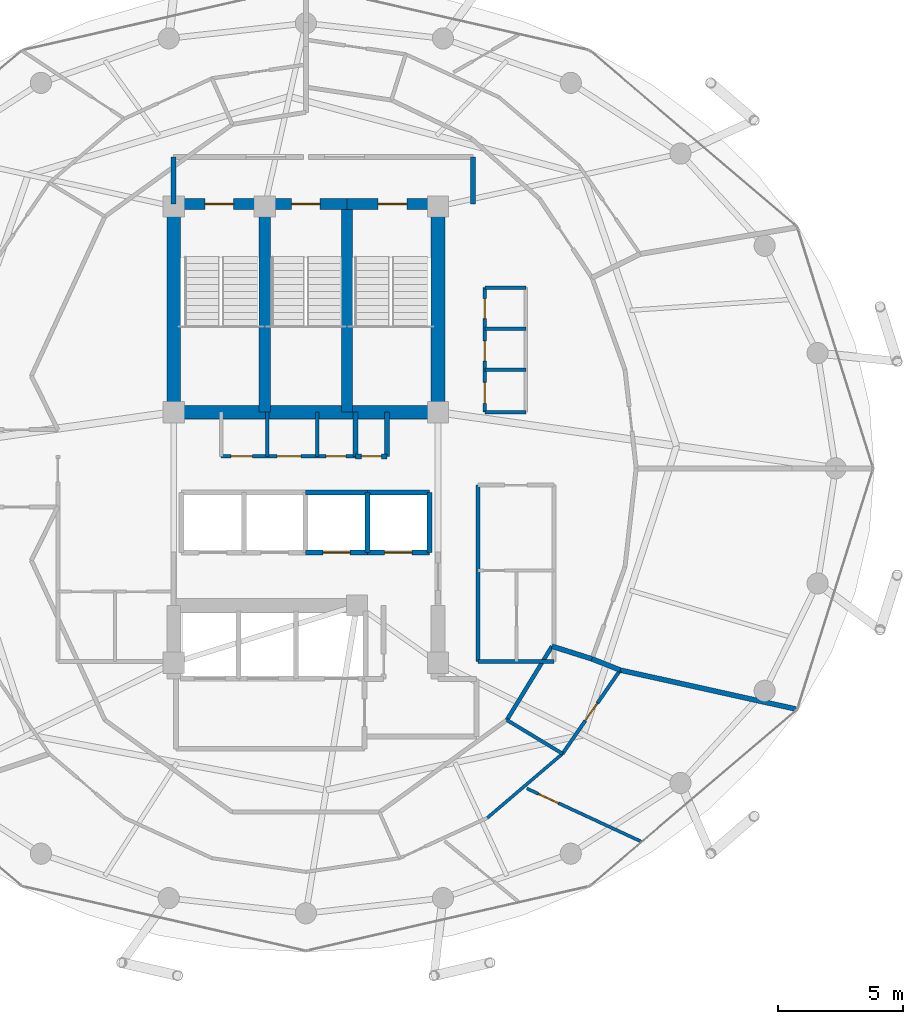
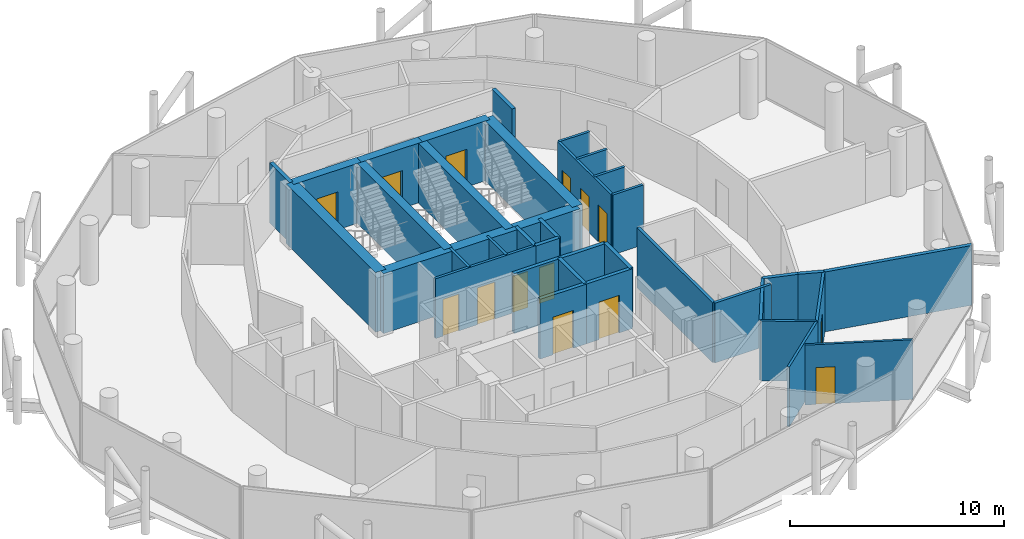
# One storey, part 24 of 27: 37 walls, 14 doors, 14 openings.
"""IFC4 building model written with IfcOpenShell, lengths in metres."""

from ifc_helpers import new_model, si_unit, direction, frame, frame_2d, origin, place, context, subcontext, project, spatial, rectangle, extrude, material, layer, layer_set, type_object, element, fill, save


model = new_model("IFC4")

# Units and contexts
model_context = context("Model", 3, precision=1e-05, world=origin(), true_north=direction((0.0, 1.0)))
body_context = subcontext(model_context, "Body", "Model", "MODEL_VIEW")
ifc_project = project(units=[si_unit("LENGTHUNIT", "METRE"), si_unit("AREAUNIT", "SQUARE_METRE"), si_unit("VOLUMEUNIT", "CUBIC_METRE"), si_unit("PLANEANGLEUNIT", "RADIAN"), si_unit("MASSUNIT", "GRAM", prefix="KILO")], contexts=[model_context])

# Site, building, storey
site_placement = place(None, origin())
site = spatial("IfcSite", under=ifc_project, at=site_placement, CompositionType="ELEMENT")
building_placement = place(site_placement, origin())
building = spatial("IfcBuilding", under=site, at=building_placement, Name="Nuhasar Tower", CompositionType="ELEMENT")
storey_placement = place(building_placement, frame((0.0, 0.0, 230.050048828125)))
storey = spatial("IfcBuildingStorey", under=building, at=storey_placement, Name="L56", CompositionType="ELEMENT", Elevation=230.050048828125)

# Wall, opening, door
ifc_material_1 = material(Name="Concrete C50/60", Category="concrete")
ifc_layer_1 = layer(ifc_material_1, 0.449951171875)
ifc_layer_set_1 = layer_set([ifc_layer_1], Name="Concrete C50/60")
wall_type_1 = type_object("IfcWallType", Name="WL-CORE-450", PredefinedType="SHEAR", material=ifc_layer_set_1)
wall_1_placement = place(storey_placement, frame((37.35009765625, 37.39990234375, 0.0), z_axis=(0.0, 0.0, 1.0), x_axis=(-1.0, 0.0, 0.0)))
wall_1 = element("IfcWall", 1, at=wall_1_placement, inside=storey, type_object=wall_type_1, Name="L56 Stairwell Shear Wall ST01-N", PredefinedType="SHEAR", context=body_context, shape_type="SweptSolid", body=[
    extrude(rectangle(XDim=3.650146484375, YDim=0.449951171875, at=frame_2d((1.8251953125, 0.0))), origin(), (0.0, 0.0, 1.0), 3.409912109375),
])
opening_1_placement = place(wall_1_placement, frame((1.25, 0.0, 0.0)))
opening_1 = element("IfcOpeningElement", 2, at=opening_1_placement, cuts=wall_1, Name="Opening DS-01", PredefinedType="OPENING", context=body_context, shape_type="SweptSolid", body=[
    extrude(rectangle(XDim=1.14990234375, YDim=2.14990234375, at=frame_2d((0.574951171875, 1.074951171875))), frame((0.0, 0.23486328125, 0.0), z_axis=(0.0, -1.0, 0.0), x_axis=(1.0, 0.0, 0.0)), (0.0, 0.0, 1.0), 0.469970703125),
])
ifc_material_2 = material(Name="Steel S355", Category="steel")
door_type_1 = type_object("IfcDoorType", Name="DR-STAIR-FD120-1150", OperationType="NOTDEFINED", PredefinedType="DOOR", material=ifc_material_2)
door_1_placement = place(opening_1_placement, origin())
door_1 = element("IfcDoor", 3, at=door_1_placement, inside=storey, type_object=door_type_1, Name="L56 Exit Stair ST-01 Door", OperationType="SINGLE_SWING_RIGHT", OverallHeight=2.14990234375, OverallWidth=1.14990234375, PredefinedType="DOOR", context=body_context, shape_type="SweptSolid", body=[
    extrude(rectangle(XDim=1.14990234375, YDim=2.14990234375, at=frame_2d((0.574951171875, 1.074951171875))), frame((0.0, 0.02490234375, 0.0), z_axis=(0.0, -1.0, 0.0), x_axis=(1.0, 0.0, 0.0)), (0.0, 0.0, 1.0), 0.050048828125),
])
fill(opening_1, door_1)

# Wall
wall_2_placement = place(storey_placement, frame((37.35009765625, 29.050048828125, 0.0), z_axis=(0.0, 0.0, 1.0), x_axis=(0.0, 1.0, 0.0)))
element("IfcWall", 4, at=wall_2_placement, inside=storey, type_object=wall_type_1, Name="L56 Stairwell Shear Wall ST01-E", PredefinedType="SHEAR", context=body_context, shape_type="SweptSolid", body=[
    extrude(rectangle(XDim=8.349853515625, YDim=0.449951171875, at=frame_2d((4.1748046875, 0.0))), origin(), (0.0, 0.0, 1.0), 3.409912109375),
])

# Wall, opening, door
wall_3_placement = place(storey_placement, frame((40.64990234375, 37.39990234375, 0.0), z_axis=(0.0, 0.0, 1.0), x_axis=(-1.0, 0.0, 0.0)))
wall_3 = element("IfcWall", 5, at=wall_3_placement, inside=storey, type_object=wall_type_1, Name="L56 Stairwell Shear Wall ST03-N", PredefinedType="SHEAR", context=body_context, shape_type="SweptSolid", body=[
    extrude(rectangle(XDim=3.2998046875, YDim=0.449951171875, at=frame_2d((1.64990234375, 0.0))), origin(), (0.0, 0.0, 1.0), 3.409912109375),
])
opening_2_placement = place(wall_3_placement, frame((1.074951171875, 0.0, 0.0)))
opening_2 = element("IfcOpeningElement", 6, at=opening_2_placement, cuts=wall_3, Name="Opening DS-01", PredefinedType="OPENING", context=body_context, shape_type="SweptSolid", body=[
    extrude(rectangle(XDim=1.14990234375, YDim=2.14990234375, at=frame_2d((0.574951171875, 1.074951171875))), frame((0.0, 0.23486328125, 0.0), z_axis=(0.0, -1.0, 0.0), x_axis=(1.0, 0.0, 0.0)), (0.0, 0.0, 1.0), 0.469970703125),
])
door_2_placement = place(opening_2_placement, origin())
door_2 = element("IfcDoor", 7, at=door_2_placement, inside=storey, type_object=door_type_1, Name="L56 Exit Stair ST-03 Door", OperationType="SINGLE_SWING_RIGHT", OverallHeight=2.14990234375, OverallWidth=1.14990234375, PredefinedType="DOOR", context=body_context, shape_type="SweptSolid", body=[
    extrude(rectangle(XDim=1.14990234375, YDim=2.14990234375, at=frame_2d((0.574951171875, 1.074951171875))), frame((0.0, 0.02490234375, 0.0), z_axis=(0.0, -1.0, 0.0), x_axis=(1.0, 0.0, 0.0)), (0.0, 0.0, 1.0), 0.050048828125),
])
fill(opening_2, door_2)

# Wall
wall_4_placement = place(storey_placement, frame((40.64990234375, 29.050048828125, 0.0), z_axis=(0.0, 0.0, 1.0), x_axis=(0.0, 1.0, 0.0)))
element("IfcWall", 8, at=wall_4_placement, inside=storey, type_object=wall_type_1, Name="L56 Stairwell Shear Wall ST03-E", PredefinedType="SHEAR", context=body_context, shape_type="SweptSolid", body=[
    extrude(rectangle(XDim=8.349853515625, YDim=0.449951171875, at=frame_2d((4.1748046875, 0.0))), origin(), (0.0, 0.0, 1.0), 3.409912109375),
])

# Wall, opening, door
wall_5_placement = place(storey_placement, frame((44.300048828125, 37.39990234375, 0.0), z_axis=(0.0, 0.0, 1.0), x_axis=(-1.0, 0.0, 0.0)))
wall_5 = element("IfcWall", 9, at=wall_5_placement, inside=storey, type_object=wall_type_1, Name="L56 Stairwell Shear Wall ST02-N", PredefinedType="SHEAR", context=body_context, shape_type="SweptSolid", body=[
    extrude(rectangle(XDim=3.650146484375, YDim=0.449951171875, at=frame_2d((1.8251953125, 0.0))), origin(), (0.0, 0.0, 1.0), 3.409912109375),
])
opening_3_placement = place(wall_5_placement, frame((1.25, 0.0, 0.0)))
opening_3 = element("IfcOpeningElement", 10, at=opening_3_placement, cuts=wall_5, Name="Opening DS-01", PredefinedType="OPENING", context=body_context, shape_type="SweptSolid", body=[
    extrude(rectangle(XDim=1.14990234375, YDim=2.14990234375, at=frame_2d((0.574951171875, 1.074951171875))), frame((0.0, 0.23486328125, 0.0), z_axis=(0.0, -1.0, 0.0), x_axis=(1.0, 0.0, 0.0)), (0.0, 0.0, 1.0), 0.469970703125),
])
door_3_placement = place(opening_3_placement, origin())
door_3 = element("IfcDoor", 11, at=door_3_placement, inside=storey, type_object=door_type_1, Name="L56 Exit Stair ST-02 Door", OperationType="SINGLE_SWING_LEFT", OverallHeight=2.14990234375, OverallWidth=1.14990234375, PredefinedType="DOOR", context=body_context, shape_type="SweptSolid", body=[
    extrude(rectangle(XDim=1.14990234375, YDim=2.14990234375, at=frame_2d((0.574951171875, 1.074951171875))), frame((0.0, 0.02490234375, 0.0), z_axis=(0.0, -1.0, 0.0), x_axis=(1.0, 0.0, 0.0)), (0.0, 0.0, 1.0), 0.050048828125),
])
fill(opening_3, door_3)

# Walls
ifc_material_3 = material(Name="Concrete C55/67", Category="concrete")
ifc_layer_2 = layer(ifc_material_3, 0.550048828125)
ifc_layer_set_2 = layer_set([ifc_layer_2], Name="Concrete C55/67")
wall_type_2 = type_object("IfcWallType", Name="WL-CORE-550", PredefinedType="SHEAR", material=ifc_layer_set_2)
for number, where, z_axis, x_axis, name in (
    (12, (33.699951171875, 29.050048828125, 0.0), (0.0, 0.0, 1.0), (0.0, 1.0, 0.0), "L56 Core Shear Wall CW-NW CW-550"),
    (13, (44.300048828125, 29.050048828125, 0.0), (0.0, 0.0, 1.0), (0.0, 1.0, 0.0), "L56 Core Shear Wall CW-NE CW-550"),
):
    element("IfcWall", number, at=place(storey_placement, frame(where, z_axis=z_axis, x_axis=x_axis)), inside=storey, type_object=wall_type_2, Name=name, PredefinedType="SHEAR", context=body_context, shape_type="SweptSolid", body=[
        extrude(rectangle(XDim=8.349853515625, YDim=0.550048828125, at=frame_2d((4.1748046875, 0.0))), origin(), (0.0, 0.0, 1.0), 3.409912109375),
    ])
wall_6_placement = place(storey_placement, frame((33.699951171875, 29.050048828125, 0.0), z_axis=(0.0, 0.0, 1.0), x_axis=(1.0, 0.0, 0.0)))
element("IfcWall", 14, at=wall_6_placement, inside=storey, type_object=wall_type_2, Name="L56 Core Shear Wall CW-N1 CW-550", PredefinedType="SHEAR", context=body_context, shape_type="SweptSolid", body=[
    extrude(rectangle(XDim=10.60009765625, YDim=0.550048828125, at=frame_2d((5.300048828125, 0.0))), origin(), (0.0, 0.0, 1.0), 3.409912109375),
])
ifc_material_4 = material(Name="Gypsum Board", Category="gypsum")
ifc_layer_3 = layer(ifc_material_4, 0.159912109375)
ifc_layer_set_3 = layer_set([ifc_layer_3], Name="Gypsum Board")
wall_type_3 = type_object("IfcWallType", Name="WL-CORR-160", PredefinedType="PARTITIONING", material=ifc_layer_set_3)
wall_7_placement = place(storey_placement, frame((45.89990234375, 19.050048828125, 0.0), z_axis=(0.0, 0.0, 1.0), x_axis=(1.0, 0.0, 0.0)))
element("IfcWall", 15, at=wall_7_placement, inside=storey, type_object=wall_type_3, Name="L56 Interior Partition RECL-B2-S", PredefinedType="PARTITIONING", context=body_context, shape_type="SweptSolid", body=[
    extrude(rectangle(XDim=3.050048828125, YDim=0.159912109375, at=frame_2d((1.52490234375, 0.0))), origin(), (0.0, 0.0, 1.0), 3.409912109375),
])
wall_8_placement = place(storey_placement, frame((45.89990234375, 19.050048828125, 0.0), z_axis=(0.0, 0.0, 1.0), x_axis=(0.0, 1.0, 0.0)))
element("IfcWall", 16, at=wall_8_placement, inside=storey, type_object=wall_type_3, Name="L56 Interior Partition RECL-B2-W", PredefinedType="PARTITIONING", context=body_context, shape_type="SweptSolid", body=[
    extrude(rectangle(XDim=7.070068359375, YDim=0.159912109375, at=frame_2d((3.53515625, 0.0))), origin(), (0.0, 0.0, 1.0), 3.409912109375),
])
wall_9_placement = place(storey_placement, frame((47.06103515625, 16.702880859375, 0.0), z_axis=(0.0, 0.0, 1.0), x_axis=(0.522486120877, 0.852647789823, 0.0)))
element("IfcWall", 17, at=wall_9_placement, inside=storey, type_object=wall_type_3, Name="L56 Interior Partition UWEST-CORE-S2-42", PredefinedType="PARTITIONING", context=body_context, shape_type="SweptSolid", body=[
    extrude(rectangle(XDim=3.468017578125, YDim=0.159912109375, at=frame_2d((1.73388671875, 0.0))), origin(), (0.0, 0.0, 1.0), 3.409912109375),
])
ifc_material_5 = material(Name="Concrete C45/55", Category="concrete")
ifc_layer_4 = layer(ifc_material_5, 0.199951171875)
ifc_layer_set_4 = layer_set([ifc_layer_4], Name="Concrete C45/55")
wall_type_4 = type_object("IfcWallType", Name="WL-LOBBY-200", PredefinedType="SOLIDWALL", material=ifc_layer_set_4)
for number, where, z_axis, x_axis, name in (
    (18, (33.699951171875, 37.39990234375, 0.0), (0.0, 0.0, 1.0), (0.0, 1.0, 0.0), "L56 Interior Partition NSL-W"),
    (19, (45.699951171875, 37.39990234375, 0.0), (0.0, 0.0, 1.0), (0.0, 1.0, 0.0), "L56 Interior Partition NSL-E"),
):
    element("IfcWall", number, at=place(storey_placement, frame(where, z_axis=z_axis, x_axis=x_axis)), inside=storey, type_object=wall_type_4, Name=name, PredefinedType="SOLIDWALL", context=body_context, shape_type="SweptSolid", body=[
        extrude(rectangle(XDim=1.880126953125, YDim=0.199951171875, at=frame_2d((0.93994140625, 0.0))), origin(), (0.0, 0.0, 1.0), 3.409912109375),
    ])
ifc_layer_5 = layer(ifc_material_4, 0.125)
ifc_layer_set_5 = layer_set([ifc_layer_5], Name="Gypsum Board")
wall_type_5 = type_object("IfcWallType", Name="WL-PART-125", PredefinedType="PARTITIONING", material=ifc_layer_set_5)
wall_10_placement = place(storey_placement, frame((46.280029296875, 12.779052734375, 0.0), z_axis=(0.0, 0.0, 1.0), x_axis=(0.760650552049, 0.64916156515, 0.0)))
element("IfcWall", 20, at=wall_10_placement, inside=storey, type_object=wall_type_5, Name="L56 Interior Partition USM-2-K-40", PredefinedType="PARTITIONING", context=body_context, shape_type="SweptSolid", body=[
    extrude(rectangle(XDim=3.963623046875, YDim=0.125, at=frame_2d((1.98193359375, 0.0))), origin(), (0.0, 0.0, 1.0), 3.409912109375),
])

# Wall, opening, door
wall_11_placement = place(storey_placement, frame((47.864013671875, 13.9560546875, 0.0), z_axis=(0.0, 0.0, 1.0), x_axis=(0.907116504573, -0.420879611209, 0.0)))
wall_11 = element("IfcWall", 21, at=wall_11_placement, inside=storey, type_object=wall_type_5, Name="L56 Interior Partition USO-2-B2", PredefinedType="PARTITIONING", context=body_context, shape_type="SweptSolid", body=[
    extrude(rectangle(XDim=5.046630859375, YDim=0.125, at=frame_2d((2.5234375, 0.0))), origin(), (0.0, 0.0, 1.0), 3.409912109375),
])
opening_4_placement = place(wall_11_placement, frame((0.50390625, 0.0, 0.0)))
opening_4 = element("IfcOpeningElement", 22, at=opening_4_placement, cuts=wall_11, Name="Opening DR-01", PredefinedType="OPENING", context=body_context, shape_type="SweptSolid", body=[
    extrude(rectangle(XDim=0.89990234375, YDim=2.10009765625, at=frame_2d((0.449951171875, 1.050048828125))), frame((0.0, 0.072509765625, 0.0), z_axis=(0.0, -1.0, 0.0), x_axis=(1.0, 0.0, 0.0)), (0.0, 0.0, 1.0), 0.14501953125),
])
ifc_material_6 = material(Name="Timber Oak", Category="wood")
door_type_2 = type_object("IfcDoorType", Name="DR-ROOM-900", OperationType="NOTDEFINED", PredefinedType="DOOR", material=ifc_material_6)
door_4_placement = place(opening_4_placement, origin())
door_4 = element("IfcDoor", 23, at=door_4_placement, inside=storey, type_object=door_type_2, Name="L56 South-West Sky Home Master Bedroom Door", OperationType="SINGLE_SWING_LEFT", OverallHeight=2.10009765625, OverallWidth=0.89990234375, PredefinedType="DOOR", context=body_context, shape_type="SweptSolid", body=[
    extrude(rectangle(XDim=0.89990234375, YDim=2.10009765625, at=frame_2d((0.449951171875, 1.050048828125))), frame((0.0, 0.02490234375, 0.0), z_axis=(0.0, -1.0, 0.0), x_axis=(1.0, 0.0, 0.0)), (0.0, 0.0, 1.0), 0.050048828125),
])
fill(opening_4, door_4)

# Walls
ifc_layer_6 = layer(ifc_material_5, 0.199951171875)
ifc_layer_set_6 = layer_set([ifc_layer_6], Name="Concrete C45/55")
wall_type_6 = type_object("IfcWallType", Name="WL-SHAFT-200", PredefinedType="SOLIDWALL", material=ifc_layer_set_6)
for number, where, z_axis, x_axis, name in (
    (24, (41.0, 27.280029296875, 0.0), (0.0, 0.0, 1.0), (0.0, 1.0, 0.0), "L56 Interior Partition RSRN-W"),
    (25, (42.260009765625, 27.280029296875, 0.0), (0.0, 0.0, 1.0), (0.0, 1.0, 0.0), "L56 Interior Partition RSRN-E"),
):
    element("IfcWall", number, at=place(storey_placement, frame(where, z_axis=z_axis, x_axis=x_axis)), inside=storey, type_object=wall_type_6, Name=name, PredefinedType="SOLIDWALL", context=body_context, shape_type="SweptSolid", body=[
        extrude(rectangle(XDim=1.77001953125, YDim=0.199951171875, at=frame_2d((0.885009765625, 0.0))), origin(), (0.0, 0.0, 1.0), 3.409912109375),
    ])

# Wall, opening, door
wall_12_placement = place(storey_placement, frame((41.0, 27.280029296875, 0.0), z_axis=(0.0, 0.0, 1.0), x_axis=(1.0, 0.0, 0.0)))
wall_12 = element("IfcWall", 26, at=wall_12_placement, inside=storey, type_object=wall_type_6, Name="L56 Interior Partition RSRN-S", PredefinedType="SOLIDWALL", context=body_context, shape_type="SweptSolid", body=[
    extrude(rectangle(XDim=1.260009765625, YDim=0.199951171875, at=frame_2d((0.6298828125, 0.0))), origin(), (0.0, 0.0, 1.0), 3.409912109375),
])
opening_5_placement = place(wall_12_placement, frame((0.22998046875, 0.0, 0.0)))
opening_5 = element("IfcOpeningElement", 27, at=opening_5_placement, cuts=wall_12, Name="Opening DM-01", PredefinedType="OPENING", context=body_context, shape_type="SweptSolid", body=[
    extrude(rectangle(XDim=0.800048828125, YDim=2.050048828125, at=frame_2d((0.39990234375, 1.02490234375))), frame((0.0, 0.10986328125, 0.0), z_axis=(0.0, -1.0, 0.0), x_axis=(1.0, 0.0, 0.0)), (0.0, 0.0, 1.0), 0.219970703125),
])
door_type_3 = type_object("IfcDoorType", Name="DR-RISER-FD60-800", OperationType="NOTDEFINED", PredefinedType="DOOR", material=ifc_material_2)
door_5_placement = place(opening_5_placement, origin())
door_5 = element("IfcDoor", 28, at=door_5_placement, inside=storey, type_object=door_type_3, Name="L56 North Smoke Riser Door", OperationType="SINGLE_SWING_RIGHT", OverallHeight=2.050048828125, OverallWidth=0.800048828125, PredefinedType="DOOR", context=body_context, shape_type="SweptSolid", body=[
    extrude(rectangle(XDim=0.800048828125, YDim=2.050048828125, at=frame_2d((0.39990234375, 1.02490234375))), frame((0.0, 0.02490234375, 0.0), z_axis=(0.0, -1.0, 0.0), x_axis=(1.0, 0.0, 0.0)), (0.0, 0.0, 1.0), 0.050048828125),
])
fill(opening_5, door_5)

wall_13_placement = place(storey_placement, frame((38.97998046875, 23.419921875, 0.0), z_axis=(0.0, 0.0, 1.0), x_axis=(1.0, 0.0, 0.0)))
wall_13 = element("IfcWall", 29, at=wall_13_placement, inside=storey, type_object=wall_type_6, Name="L56 Interior Partition SHF-PL-H03-S", PredefinedType="SOLIDWALL", context=body_context, shape_type="SweptSolid", body=[
    extrude(rectangle(XDim=2.5, YDim=0.199951171875, at=frame_2d((1.25, 0.0))), origin(), (0.0, 0.0, 1.0), 3.409912109375),
])
opening_6_placement = place(wall_13_placement, frame((0.699951171875, 0.0, 0.0)))
opening_6 = element("IfcOpeningElement", 30, at=opening_6_placement, cuts=wall_13, Name="Opening LD-H03", PredefinedType="OPENING", context=body_context, shape_type="SweptSolid", body=[
    extrude(rectangle(XDim=1.10009765625, YDim=2.14990234375, at=frame_2d((0.550048828125, 1.074951171875))), frame((0.0, 0.10986328125, 0.0), z_axis=(0.0, -1.0, 0.0), x_axis=(1.0, 0.0, 0.0)), (0.0, 0.0, 1.0), 0.219970703125),
])
ifc_material_7 = material(Name="Stainless Steel 316L", Category="steel")
door_type_4 = type_object("IfcDoorType", Name="LD-PAX-1100", OperationType="DOUBLE_DOOR_SLIDING", PredefinedType="DOOR", material=ifc_material_7)
door_6_placement = place(opening_6_placement, origin())
door_6 = element("IfcDoor", 31, at=door_6_placement, inside=storey, type_object=door_type_4, Name="L56 Lift Landing Door PL-H03", OperationType="DOUBLE_DOOR_SLIDING", OverallHeight=2.14990234375, OverallWidth=1.10009765625, PredefinedType="DOOR", context=body_context, shape_type="SweptSolid", body=[
    extrude(rectangle(XDim=1.10009765625, YDim=2.14990234375, at=frame_2d((0.550048828125, 1.074951171875))), frame((0.0, 0.02490234375, 0.0), z_axis=(0.0, -1.0, 0.0), x_axis=(1.0, 0.0, 0.0)), (0.0, 0.0, 1.0), 0.050048828125),
])
fill(opening_6, door_6)

# Walls
wall_14_placement = place(storey_placement, frame((38.97998046875, 25.830078125, 0.0), z_axis=(0.0, 0.0, 1.0), x_axis=(1.0, 0.0, 0.0)))
element("IfcWall", 32, at=wall_14_placement, inside=storey, type_object=wall_type_6, Name="L56 Interior Partition SHF-PL-H03-N", PredefinedType="SOLIDWALL", context=body_context, shape_type="SweptSolid", body=[
    extrude(rectangle(XDim=2.5, YDim=0.199951171875, at=frame_2d((1.25, 0.0))), origin(), (0.0, 0.0, 1.0), 3.409912109375),
])
wall_15_placement = place(storey_placement, frame((41.469970703125, 23.419921875, 0.0), z_axis=(0.0, 0.0, 1.0), x_axis=(0.0, 1.0, 0.0)))
element("IfcWall", 33, at=wall_15_placement, inside=storey, type_object=wall_type_6, Name="L56 Interior Partition SHF-PL-H03-E", PredefinedType="SOLIDWALL", context=body_context, shape_type="SweptSolid", body=[
    extrude(rectangle(XDim=2.41015625, YDim=0.199951171875, at=frame_2d((1.205078125, 0.0))), origin(), (0.0, 0.0, 1.0), 3.409912109375),
])

# Wall, opening, door
wall_16_placement = place(storey_placement, frame((41.4599609375, 23.419921875, 0.0), z_axis=(0.0, 0.0, 1.0), x_axis=(1.0, 0.0, 0.0)))
wall_16 = element("IfcWall", 34, at=wall_16_placement, inside=storey, type_object=wall_type_6, Name="L56 Interior Partition SHF-PL-H04-S", PredefinedType="SOLIDWALL", context=body_context, shape_type="SweptSolid", body=[
    extrude(rectangle(XDim=2.5, YDim=0.199951171875, at=frame_2d((1.25, 0.0))), origin(), (0.0, 0.0, 1.0), 3.409912109375),
])
opening_7_placement = place(wall_16_placement, frame((0.699951171875, 0.0, 0.0)))
opening_7 = element("IfcOpeningElement", 35, at=opening_7_placement, cuts=wall_16, Name="Opening LD-H04", PredefinedType="OPENING", context=body_context, shape_type="SweptSolid", body=[
    extrude(rectangle(XDim=1.10009765625, YDim=2.14990234375, at=frame_2d((0.550048828125, 1.074951171875))), frame((0.0, 0.10986328125, 0.0), z_axis=(0.0, -1.0, 0.0), x_axis=(1.0, 0.0, 0.0)), (0.0, 0.0, 1.0), 0.219970703125),
])
door_7_placement = place(opening_7_placement, origin())
door_7 = element("IfcDoor", 36, at=door_7_placement, inside=storey, type_object=door_type_4, Name="L56 Lift Landing Door PL-H04", OperationType="DOUBLE_DOOR_SLIDING", OverallHeight=2.14990234375, OverallWidth=1.10009765625, PredefinedType="DOOR", context=body_context, shape_type="SweptSolid", body=[
    extrude(rectangle(XDim=1.10009765625, YDim=2.14990234375, at=frame_2d((0.550048828125, 1.074951171875))), frame((0.0, 0.02490234375, 0.0), z_axis=(0.0, -1.0, 0.0), x_axis=(1.0, 0.0, 0.0)), (0.0, 0.0, 1.0), 0.050048828125),
])
fill(opening_7, door_7)

# Walls
wall_17_placement = place(storey_placement, frame((41.4599609375, 25.830078125, 0.0), z_axis=(0.0, 0.0, 1.0), x_axis=(1.0, 0.0, 0.0)))
element("IfcWall", 37, at=wall_17_placement, inside=storey, type_object=wall_type_6, Name="L56 Interior Partition SHF-PL-H04-N", PredefinedType="SOLIDWALL", context=body_context, shape_type="SweptSolid", body=[
    extrude(rectangle(XDim=2.5, YDim=0.199951171875, at=frame_2d((1.25, 0.0))), origin(), (0.0, 0.0, 1.0), 3.409912109375),
])
wall_18_placement = place(storey_placement, frame((43.9599609375, 23.419921875, 0.0), z_axis=(0.0, 0.0, 1.0), x_axis=(0.0, 1.0, 0.0)))
element("IfcWall", 38, at=wall_18_placement, inside=storey, type_object=wall_type_6, Name="L56 Interior Partition SHF-PL-H04-E", PredefinedType="SOLIDWALL", context=body_context, shape_type="SweptSolid", body=[
    extrude(rectangle(XDim=2.41015625, YDim=0.199951171875, at=frame_2d((1.205078125, 0.0))), origin(), (0.0, 0.0, 1.0), 3.409912109375),
])
ifc_material_8 = material(Name="Concrete C40/50 precast", Category="concrete")
ifc_layer_7 = layer(ifc_material_8, 0.199951171875)
ifc_layer_set_7 = layer_set([ifc_layer_7], Name="Concrete C40/50 precast")
wall_type_7 = type_object("IfcWallType", Name="WL-UNIT-200", PredefinedType="PARTITIONING", material=ifc_layer_set_7)
wall_19_placement = place(storey_placement, frame((48.873046875, 19.659912109375, 0.0), z_axis=(0.0, 0.0, 1.0), x_axis=(0.953758235549, -0.30057482949, 0.0)))
element("IfcWall", 39, at=wall_19_placement, inside=storey, type_object=wall_type_7, Name="L56 Interior Partition URAD-44-SW-S1", PredefinedType="PARTITIONING", context=body_context, shape_type="SweptSolid", body=[
    extrude(rectangle(XDim=1.6796875, YDim=0.199951171875, at=frame_2d((0.83984375, 0.0))), origin(), (0.0, 0.0, 1.0), 3.409912109375),
])
wall_20_placement = place(storey_placement, frame((50.47509765625, 19.155029296875, 0.0), z_axis=(0.0, 0.0, 1.0), x_axis=(0.929480908275, -0.368870222642, 0.0)))
element("IfcWall", 40, at=wall_20_placement, inside=storey, type_object=wall_type_7, Name="L56 Interior Partition URAD-44-SW-S2", PredefinedType="PARTITIONING", context=body_context, shape_type="SweptSolid", body=[
    extrude(rectangle(XDim=1.2197265625, YDim=0.199951171875, at=frame_2d((0.60986328125, 0.0))), origin(), (0.0, 0.0, 1.0), 3.409912109375),
])
wall_21_placement = place(storey_placement, frame((51.60888671875, 18.705078125, 0.0), z_axis=(0.0, 0.0, 1.0), x_axis=(0.976281349857, -0.216505717989, 0.0)))
element("IfcWall", 41, at=wall_21_placement, inside=storey, type_object=wall_type_7, Name="L56 Interior Partition URAD-44-SW-S3", PredefinedType="PARTITIONING", context=body_context, shape_type="SweptSolid", body=[
    extrude(rectangle(XDim=7.242919921875, YDim=0.199951171875, at=frame_2d((3.62158203125, 0.0))), origin(), (0.0, 0.0, 1.0), 3.409912109375),
])

# Wall, openings, doors
ifc_layer_8 = layer(ifc_material_8, 0.139892578125)
ifc_layer_set_8 = layer_set([ifc_layer_8], Name="Concrete C40/50 precast")
wall_type_8 = type_object("IfcWallType", Name="WL-WET-140", PredefinedType="PARTITIONING", material=ifc_layer_set_8)
wall_22_placement = place(storey_placement, frame((35.60009765625, 27.280029296875, 0.0), z_axis=(0.0, 0.0, 1.0), x_axis=(1.0, 0.0, 0.0)))
wall_22 = element("IfcWall", 42, at=wall_22_placement, inside=storey, type_object=wall_type_8, Name="L56 Interior Partition CSVC-S", PredefinedType="PARTITIONING", context=body_context, shape_type="SweptSolid", body=[
    extrude(rectangle(XDim=5.39990234375, YDim=0.139892578125, at=frame_2d((2.699951171875, 0.0))), origin(), (0.0, 0.0, 1.0), 3.409912109375),
])
opening_8_placement = place(wall_22_placement, frame((0.39990234375, 0.0, 0.0)))
opening_8 = element("IfcOpeningElement", 43, at=opening_8_placement, cuts=wall_22, Name="Opening DB-01", PredefinedType="OPENING", context=body_context, shape_type="SweptSolid", body=[
    extrude(rectangle(XDim=0.85009765625, YDim=2.10009765625, at=frame_2d((0.425048828125, 1.050048828125))), frame((0.0, 0.080078125, 0.0), z_axis=(0.0, -1.0, 0.0), x_axis=(1.0, 0.0, 0.0)), (0.0, 0.0, 1.0), 0.159912109375),
])
opening_9_placement = place(wall_22_placement, frame((2.25, 0.0, 0.0)))
opening_9 = element("IfcOpeningElement", 44, at=opening_9_placement, cuts=wall_22, Name="Opening DA-01", PredefinedType="OPENING", context=body_context, shape_type="SweptSolid", body=[
    extrude(rectangle(XDim=0.949951171875, YDim=2.10009765625, at=frame_2d((0.47509765625, 1.050048828125))), frame((0.0, 0.080078125, 0.0), z_axis=(0.0, -1.0, 0.0), x_axis=(1.0, 0.0, 0.0)), (0.0, 0.0, 1.0), 0.159912109375),
])
opening_10_placement = place(wall_22_placement, frame((4.199951171875, 0.0, 0.0)))
opening_10 = element("IfcOpeningElement", 45, at=opening_10_placement, cuts=wall_22, Name="Opening DM-01", PredefinedType="OPENING", context=body_context, shape_type="SweptSolid", body=[
    extrude(rectangle(XDim=0.800048828125, YDim=2.050048828125, at=frame_2d((0.39990234375, 1.02490234375))), frame((0.0, 0.080078125, 0.0), z_axis=(0.0, -1.0, 0.0), x_axis=(1.0, 0.0, 0.0)), (0.0, 0.0, 1.0), 0.159912109375),
])
door_type_5 = type_object("IfcDoorType", Name="DR-ACCWC-950", OperationType="NOTDEFINED", PredefinedType="DOOR", material=ifc_material_6)
door_8_placement = place(opening_9_placement, origin())
door_8 = element("IfcDoor", 46, at=door_8_placement, inside=storey, type_object=door_type_5, Name="L56 Core Accessible WC Door", OperationType="SINGLE_SWING_RIGHT", OverallHeight=2.10009765625, OverallWidth=0.949951171875, PredefinedType="DOOR", context=body_context, shape_type="SweptSolid", body=[
    extrude(rectangle(XDim=0.949951171875, YDim=2.10009765625, at=frame_2d((0.47509765625, 1.050048828125))), frame((0.0, 0.02490234375, 0.0), z_axis=(0.0, -1.0, 0.0), x_axis=(1.0, 0.0, 0.0)), (0.0, 0.0, 1.0), 0.050048828125),
])
fill(opening_9, door_8)
door_type_6 = type_object("IfcDoorType", Name="DR-BATH-850", OperationType="NOTDEFINED", PredefinedType="DOOR", material=ifc_material_6)
door_9_placement = place(opening_8_placement, origin())
door_9 = element("IfcDoor", 47, at=door_9_placement, inside=storey, type_object=door_type_6, Name="L56 Core Male WC Door", OperationType="SINGLE_SWING_LEFT", OverallHeight=2.10009765625, OverallWidth=0.85009765625, PredefinedType="DOOR", context=body_context, shape_type="SweptSolid", body=[
    extrude(rectangle(XDim=0.85009765625, YDim=2.10009765625, at=frame_2d((0.425048828125, 1.050048828125))), frame((0.0, 0.02490234375, 0.0), z_axis=(0.0, -1.0, 0.0), x_axis=(1.0, 0.0, 0.0)), (0.0, 0.0, 1.0), 0.050048828125),
])
fill(opening_8, door_9)
door_10_placement = place(opening_10_placement, origin())
door_10 = element("IfcDoor", 48, at=door_10_placement, inside=storey, type_object=door_type_3, Name="L56 Core Janitor Door", OperationType="SINGLE_SWING_RIGHT", OverallHeight=2.050048828125, OverallWidth=0.800048828125, PredefinedType="DOOR", context=body_context, shape_type="SweptSolid", body=[
    extrude(rectangle(XDim=0.800048828125, YDim=2.050048828125, at=frame_2d((0.39990234375, 1.02490234375))), frame((0.0, 0.02490234375, 0.0), z_axis=(0.0, -1.0, 0.0), x_axis=(1.0, 0.0, 0.0)), (0.0, 0.0, 1.0), 0.050048828125),
])
fill(opening_10, door_10)

# Walls
for number, where, z_axis, x_axis, name in (
    (49, (37.449951171875, 27.280029296875, 0.0), (0.0, 0.0, 1.0), (0.0, 1.0, 0.0), "L56 Interior Partition K1-P1"),
    (50, (39.449951171875, 27.280029296875, 0.0), (0.0, 0.0, 1.0), (0.0, 1.0, 0.0), "L56 Interior Partition K1-P2"),
):
    element("IfcWall", number, at=place(storey_placement, frame(where, z_axis=z_axis, x_axis=x_axis)), inside=storey, type_object=wall_type_8, Name=name, PredefinedType="PARTITIONING", context=body_context, shape_type="SweptSolid", body=[
        extrude(rectangle(XDim=1.77001953125, YDim=0.139892578125, at=frame_2d((0.885009765625, 0.0))), origin(), (0.0, 0.0, 1.0), 3.409912109375),
    ])

# Wall, openings, doors
wall_23_placement = place(storey_placement, frame((46.179931640625, 34.050048828125, 0.0), z_axis=(0.0, 0.0, 1.0), x_axis=(0.0, -1.0, 0.0)))
wall_23 = element("IfcWall", 51, at=wall_23_placement, inside=storey, type_object=wall_type_8, Name="L56 Interior Partition K1-NE-W", PredefinedType="PARTITIONING", context=body_context, shape_type="SweptSolid", body=[
    extrude(rectangle(XDim=5.0, YDim=0.139892578125, at=frame_2d((2.5, 0.0))), origin(), (0.0, 0.0, 1.0), 3.409912109375),
])
opening_11_placement = place(wall_23_placement, frame((3.800048828125, 0.0, 0.0)))
opening_11 = element("IfcOpeningElement", 52, at=opening_11_placement, cuts=wall_23, Name="Opening DB-01", PredefinedType="OPENING", context=body_context, shape_type="SweptSolid", body=[
    extrude(rectangle(XDim=0.85009765625, YDim=2.10009765625, at=frame_2d((0.425048828125, 1.050048828125))), frame((0.0, 0.080078125, 0.0), z_axis=(0.0, -1.0, 0.0), x_axis=(1.0, 0.0, 0.0)), (0.0, 0.0, 1.0), 0.159912109375),
])
opening_12_placement = place(wall_23_placement, frame((2.14990234375, 0.0, 0.0)))
opening_12 = element("IfcOpeningElement", 53, at=opening_12_placement, cuts=wall_23, Name="Opening DM-01", PredefinedType="OPENING", context=body_context, shape_type="SweptSolid", body=[
    extrude(rectangle(XDim=0.800048828125, YDim=2.050048828125, at=frame_2d((0.39990234375, 1.02490234375))), frame((0.0, 0.080078125, 0.0), z_axis=(0.0, -1.0, 0.0), x_axis=(1.0, 0.0, 0.0)), (0.0, 0.0, 1.0), 0.159912109375),
])
opening_13_placement = place(wall_23_placement, frame((0.449951171875, 0.0, 0.0)))
opening_13 = element("IfcOpeningElement", 54, at=opening_13_placement, cuts=wall_23, Name="Opening DM-01", PredefinedType="OPENING", context=body_context, shape_type="SweptSolid", body=[
    extrude(rectangle(XDim=0.800048828125, YDim=2.050048828125, at=frame_2d((0.39990234375, 1.02490234375))), frame((0.0, 0.080078125, 0.0), z_axis=(0.0, -1.0, 0.0), x_axis=(1.0, 0.0, 0.0)), (0.0, 0.0, 1.0), 0.159912109375),
])
door_11_placement = place(opening_11_placement, origin())
door_11 = element("IfcDoor", 55, at=door_11_placement, inside=storey, type_object=door_type_6, Name="L56 NE Female WC Door", OperationType="SINGLE_SWING_RIGHT", OverallHeight=2.10009765625, OverallWidth=0.85009765625, PredefinedType="DOOR", context=body_context, shape_type="SweptSolid", body=[
    extrude(rectangle(XDim=0.85009765625, YDim=2.10009765625, at=frame_2d((0.425048828125, 1.050048828125))), frame((0.0, 0.02490234375, 0.0), z_axis=(0.0, -1.0, 0.0), x_axis=(1.0, 0.0, 0.0)), (0.0, 0.0, 1.0), 0.050048828125),
])
fill(opening_11, door_11)
door_12_placement = place(opening_12_placement, origin())
door_12 = element("IfcDoor", 56, at=door_12_placement, inside=storey, type_object=door_type_3, Name="L56 NE Meter Door", OperationType="SINGLE_SWING_RIGHT", OverallHeight=2.050048828125, OverallWidth=0.800048828125, PredefinedType="DOOR", context=body_context, shape_type="SweptSolid", body=[
    extrude(rectangle(XDim=0.800048828125, YDim=2.050048828125, at=frame_2d((0.39990234375, 1.02490234375))), frame((0.0, 0.02490234375, 0.0), z_axis=(0.0, -1.0, 0.0), x_axis=(1.0, 0.0, 0.0)), (0.0, 0.0, 1.0), 0.050048828125),
])
fill(opening_12, door_12)
door_13_placement = place(opening_13_placement, origin())
door_13 = element("IfcDoor", 57, at=door_13_placement, inside=storey, type_object=door_type_3, Name="L56 NE Telecom Door", OperationType="SINGLE_SWING_LEFT", OverallHeight=2.050048828125, OverallWidth=0.800048828125, PredefinedType="DOOR", context=body_context, shape_type="SweptSolid", body=[
    extrude(rectangle(XDim=0.800048828125, YDim=2.050048828125, at=frame_2d((0.39990234375, 1.02490234375))), frame((0.0, 0.02490234375, 0.0), z_axis=(0.0, -1.0, 0.0), x_axis=(1.0, 0.0, 0.0)), (0.0, 0.0, 1.0), 0.050048828125),
])
fill(opening_13, door_13)

# Walls
for number, where, z_axis, x_axis, name in (
    (58, (46.179931640625, 29.050048828125, 0.0), (0.0, 0.0, 1.0), (1.0, 0.0, 0.0), "L56 Interior Partition K1-NE-S"),
    (59, (46.179931640625, 30.75, 0.0), (0.0, 0.0, 1.0), (1.0, 0.0, 0.0), "L56 Interior Partition K1-NE-M1"),
    (60, (46.179931640625, 32.39990234375, 0.0), (0.0, 0.0, 1.0), (1.0, 0.0, 0.0), "L56 Interior Partition K1-NE-M2"),
    (61, (46.179931640625, 34.050048828125, 0.0), (0.0, 0.0, 1.0), (1.0, 0.0, 0.0), "L56 Interior Partition K1-NE-N"),
):
    element("IfcWall", number, at=place(storey_placement, frame(where, z_axis=z_axis, x_axis=x_axis)), inside=storey, type_object=wall_type_8, Name=name, PredefinedType="PARTITIONING", context=body_context, shape_type="SweptSolid", body=[
        extrude(rectangle(XDim=1.64013671875, YDim=0.139892578125, at=frame_2d((0.820068359375, 0.0))), origin(), (0.0, 0.0, 1.0), 3.409912109375),
    ])

# Wall, opening, door
wall_24_placement = place(storey_placement, frame((51.60888671875, 18.705078125, 0.0), z_axis=(0.0, 0.0, 1.0), x_axis=(-0.567987799291, -0.823036973566, 0.0)))
wall_24 = element("IfcWall", 62, at=wall_24_placement, inside=storey, type_object=wall_type_8, Name="L56 Interior Partition USM-2-B-42", PredefinedType="PARTITIONING", context=body_context, shape_type="SweptSolid", body=[
    extrude(rectangle(XDim=4.073974609375, YDim=0.139892578125, at=frame_2d((2.037109375, 0.0))), origin(), (0.0, 0.0, 1.0), 3.409912109375),
])
opening_14_placement = place(wall_24_placement, frame((1.612060546875, 0.0, 0.0)))
opening_14 = element("IfcOpeningElement", 63, at=opening_14_placement, cuts=wall_24, Name="Opening DB-01", PredefinedType="OPENING", context=body_context, shape_type="SweptSolid", body=[
    extrude(rectangle(XDim=0.85009765625, YDim=2.10009765625, at=frame_2d((0.425048828125, 1.050048828125))), frame((0.0, 0.080078125, 0.0), z_axis=(0.0, -1.0, 0.0), x_axis=(1.0, 0.0, 0.0)), (0.0, 0.0, 1.0), 0.159912109375),
])
door_14_placement = place(opening_14_placement, origin())
door_14 = element("IfcDoor", 64, at=door_14_placement, inside=storey, type_object=door_type_6, Name="L56 South-West Sky Home En-Suite Door", OperationType="SINGLE_SWING_RIGHT", OverallHeight=2.10009765625, OverallWidth=0.85009765625, PredefinedType="DOOR", context=body_context, shape_type="SweptSolid", body=[
    extrude(rectangle(XDim=0.85009765625, YDim=2.10009765625, at=frame_2d((0.425048828125, 1.050048828125))), frame((0.0, 0.02490234375, 0.0), z_axis=(0.0, -1.0, 0.0), x_axis=(1.0, 0.0, 0.0)), (0.0, 0.0, 1.0), 0.050048828125),
])
fill(opening_14, door_14)

# Wall
wall_25_placement = place(storey_placement, frame((47.06103515625, 16.702880859375, 0.0), z_axis=(0.0, 0.0, 1.0), x_axis=(0.855713686338, -0.517449598525, 0.0)))
element("IfcWall", 65, at=wall_25_placement, inside=storey, type_object=wall_type_8, Name="L56 Interior Partition USI-2-KB", PredefinedType="PARTITIONING", context=body_context, shape_type="SweptSolid", body=[
    extrude(rectangle(XDim=2.610595703125, YDim=0.139892578125, at=frame_2d((1.30517578125, 0.0))), origin(), (0.0, 0.0, 1.0), 3.409912109375),
])

save(model, "model.ifc")
